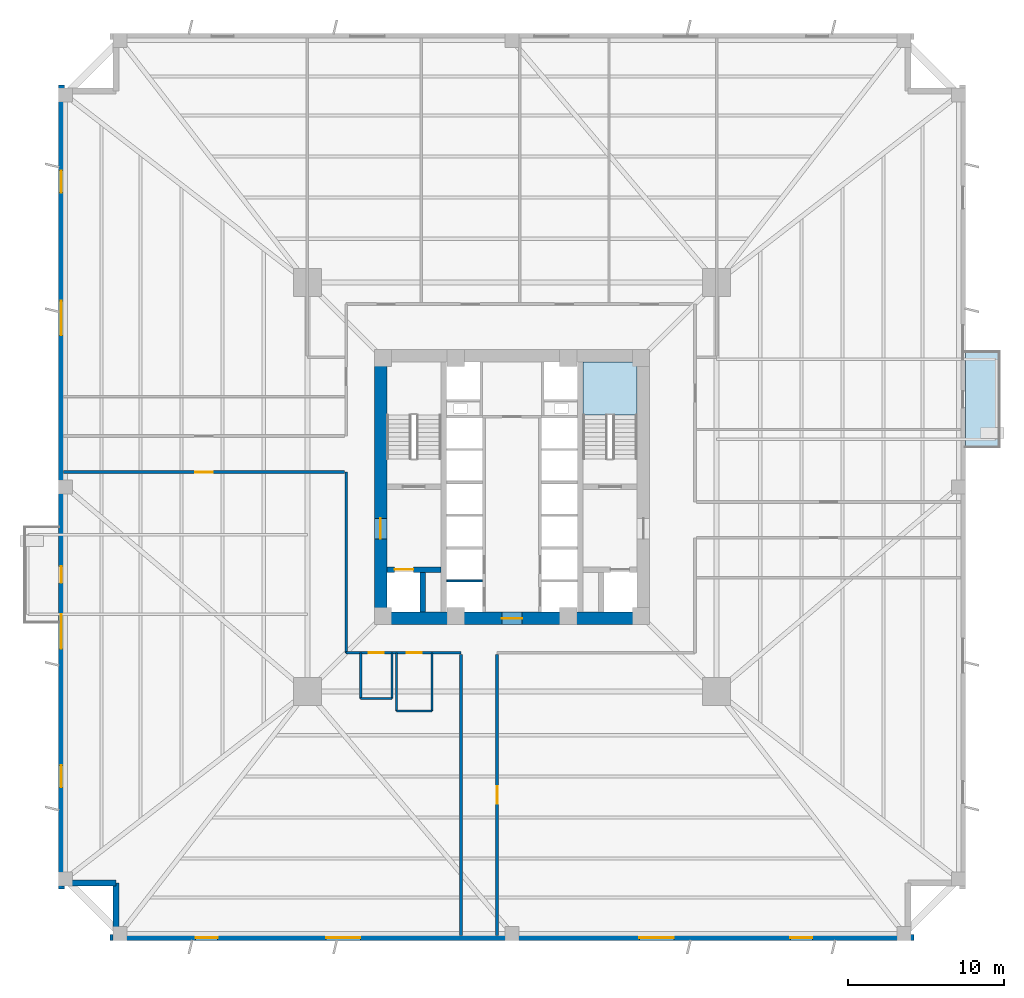
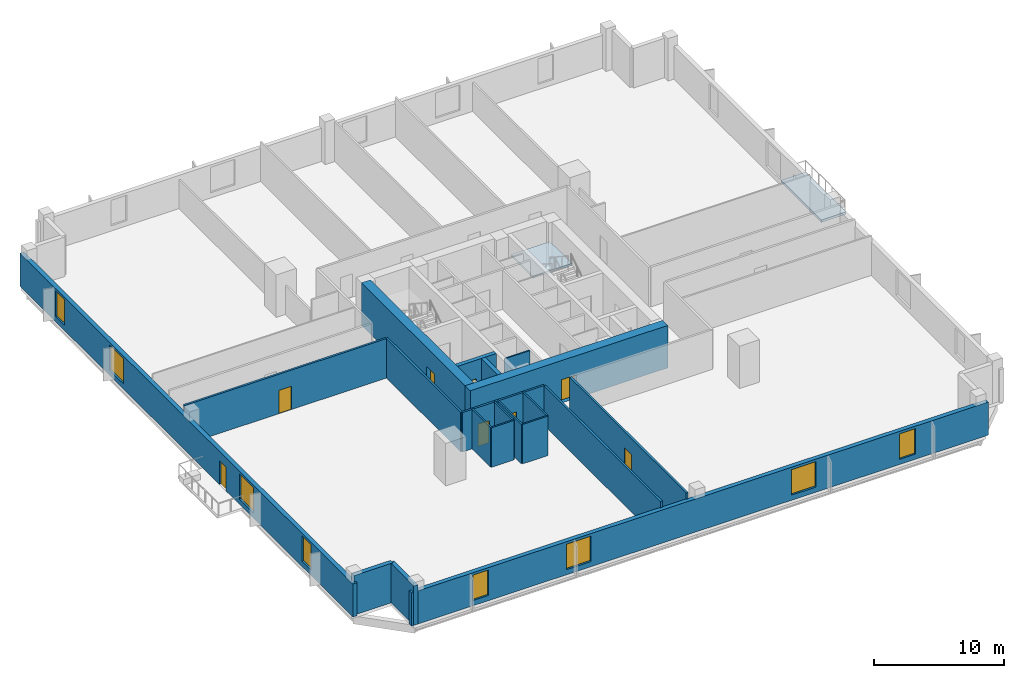
# One storey, part 2 of 8: 20 walls, 8 doors, 8 windows, 2 slabs, 16 openings, 1 element without a shape of its own.
"""IFC4 building model written with IfcOpenShell, lengths in metres."""

import ifcopenshell
import ifcopenshell.guid

model = None  # the IFC model being written
_history = None  # IfcOwnerHistory: only IFC2X3 demands one
_inside = {}  # id of a spatial element -> (the spatial element, [elements in it])
_under = {}  # id of a project, library or spatial element -> (it, [spatial elements below it])
_declared = {}  # id of a project -> (the project, [libraries it declares])
_typed = {}  # id of a type object -> (the type object, [elements of that type])
_made_of = {}  # id of a material, layer set ... -> (it, [elements and type objects made of it])


def new_model(schema):
    """Start an empty IFC model of exactly this schema.

    Asked for "IFC4X3", IfcOpenShell would pick the latest addendum, in which some entities
    have other attributes; the version numbers below select the first issue.
    IFC2X3 requires an IfcOwnerHistory on every rooted entity: one is made here for all.
    """
    global model, _history
    if schema == "IFC4X3":
        model = ifcopenshell.file(schema_version=(4, 3, 0, 0))
    else:
        model = ifcopenshell.file(schema=schema)
    _inside.clear()
    _under.clear()
    _declared.clear()
    _typed.clear()
    _made_of.clear()
    _history = None
    if model.schema == "IFC2X3":
        org = make("IfcOrganization", Name="unknown")
        user = make(
            "IfcPersonAndOrganization",
            ThePerson=make("IfcPerson", FamilyName="unknown"),
            TheOrganization=org,
        )
        app = make(
            "IfcApplication",
            ApplicationDeveloper=org,
            Version="unknown",
            ApplicationFullName="unknown",
            ApplicationIdentifier="unknown",
        )
        _history = make(
            "IfcOwnerHistory",
            OwningUser=user,
            OwningApplication=app,
            ChangeAction="ADDED",
            CreationDate=0,
        )
    return model


def make(cls, **values):
    """One entity of the class cls with the attributes given. An attribute that is None is left unset."""
    return model.create_entity(
        cls, **{name: value for name, value in values.items() if value is not None}
    )


def rooted(cls, **values):
    """An entity with a GlobalId (a new one), such as an element, a storey or a relation."""
    return make(cls, GlobalId=ifcopenshell.guid.new(), OwnerHistory=_history, **values)


def si_unit(unit_type, name, prefix=None):
    """IfcSIUnit, for example si_unit("LENGTHUNIT", "METRE", prefix="MILLI")."""
    return make("IfcSIUnit", UnitType=unit_type, Prefix=prefix, Name=name)


def assignment(units):
    """IfcUnitAssignment: the units of a project."""
    return None if units is None else make("IfcUnitAssignment", Units=units)


def point(xyz):
    """IfcCartesianPoint."""
    return None if xyz is None else make("IfcCartesianPoint", Coordinates=xyz)


def direction(xyz):
    """IfcDirection."""
    return None if xyz is None else make("IfcDirection", DirectionRatios=xyz)


def frame(location, z_axis=None, x_axis=None):
    """IfcAxis2Placement3D, a coordinate frame: its origin and axes. An axis left out is left unset."""
    return make(
        "IfcAxis2Placement3D",
        Location=point(location),
        Axis=direction(z_axis),
        RefDirection=direction(x_axis),
    )


def frame_2d(location, x_axis=None):
    """IfcAxis2Placement2D, a coordinate frame in the plane: its origin and x axis."""
    return make(
        "IfcAxis2Placement2D", Location=point(location), RefDirection=direction(x_axis)
    )


def origin():
    """The frame at (0, 0, 0) with its axes left unset."""
    return frame((0.0, 0.0, 0.0))


def place(relative_to, where):
    """IfcLocalPlacement: puts the frame where relative to a parent placement (None: the world)."""
    return make(
        "IfcLocalPlacement", PlacementRelTo=relative_to, RelativePlacement=where
    )


def context(
    kind, dimensions, precision=None, world=None, true_north=None, identifier=None
):
    """IfcGeometricRepresentationContext, for example the 3D "Model" context."""
    return make(
        "IfcGeometricRepresentationContext",
        ContextIdentifier=identifier,
        ContextType=kind,
        CoordinateSpaceDimension=dimensions,
        Precision=precision,
        WorldCoordinateSystem=world,
        TrueNorth=true_north,
    )


def subcontext(parent, identifier, kind, view, scale=None):
    """IfcGeometricRepresentationSubContext, for example "Body" below "Model"."""
    return make(
        "IfcGeometricRepresentationSubContext",
        ContextIdentifier=identifier,
        ContextType=kind,
        ParentContext=parent,
        TargetScale=scale,
        TargetView=view,
    )


def project(units=None, contexts=None):
    """IfcProject with its units and contexts."""
    return rooted(
        "IfcProject",
        Name="project",
        RepresentationContexts=contexts,
        UnitsInContext=assignment(units),
    )


def spatial(cls, under=None, at=None, **own):
    """A site, building, storey or space (cls), placed at a placement, below another one or the project."""
    s = rooted(cls, ObjectPlacement=at, **own)
    if under is not None:
        _under.setdefault(under.id(), (under, []))[1].append(s)
    return s


def polyline(points):
    """IfcPolyline through the points."""
    return make("IfcPolyline", Points=[point(p) for p in points])


def profile(cls, at=None, kind="AREA", **sizes):
    """A parametric profile (cls). Its sizes go by their IFC names, for example OverallWidth=200.0."""
    return make(cls, ProfileType=kind, Position=at, **sizes)


def rectangle(**sizes):
    """IfcRectangleProfileDef."""
    return profile("IfcRectangleProfileDef", **sizes)


def outline(outer, holes=None, kind="AREA"):
    """IfcArbitraryClosedProfileDef: a profile drawn as a closed curve; with holes, ...WithVoids."""
    if holes is None:
        return make("IfcArbitraryClosedProfileDef", ProfileType=kind, OuterCurve=outer)
    return make(
        "IfcArbitraryProfileDefWithVoids",
        ProfileType=kind,
        OuterCurve=outer,
        InnerCurves=holes,
    )


def extrude(swept, where, along, depth):
    """IfcExtrudedAreaSolid: the profile swept, set in the frame where, extruded along a direction by depth."""
    return make(
        "IfcExtrudedAreaSolid",
        SweptArea=swept,
        Position=where,
        ExtrudedDirection=direction(along),
        Depth=depth,
    )


def shape(context_of_items, identifier, shape_type, items):
    """IfcShapeRepresentation: the items that make up one representation, for example the "Body"."""
    return make(
        "IfcShapeRepresentation",
        ContextOfItems=context_of_items,
        RepresentationIdentifier=identifier,
        RepresentationType=shape_type,
        Items=items,
    )


def source(mapping_origin, context_of_items, identifier, shape_type, items):
    """IfcRepresentationMap: a shape defined once, which mapped items show again and again."""
    return make(
        "IfcRepresentationMap",
        MappingOrigin=mapping_origin,
        MappedRepresentation=shape(context_of_items, identifier, shape_type, items),
    )


def transform(
    local_origin,
    x_axis=None,
    y_axis=None,
    z_axis=None,
    scale=None,
    scale2=None,
    scale3=None,
    uniform=True,
):
    """IfcCartesianTransformationOperator3D, or its non-uniform kind. x_axis, y_axis, z_axis: its Axis1, 2, 3."""
    if uniform:
        return make(
            "IfcCartesianTransformationOperator3D",
            Axis1=direction(x_axis),
            Axis2=direction(y_axis),
            LocalOrigin=point(local_origin),
            Scale=scale,
            Axis3=direction(z_axis),
        )
    return make(
        "IfcCartesianTransformationOperator3DnonUniform",
        Axis1=direction(x_axis),
        Axis2=direction(y_axis),
        LocalOrigin=point(local_origin),
        Scale=scale,
        Axis3=direction(z_axis),
        Scale2=scale2,
        Scale3=scale3,
    )


def mapped(mapping_source, mapping_target):
    """IfcMappedItem: shows the shape of a source again, moved by a transform."""
    return make(
        "IfcMappedItem", MappingSource=mapping_source, MappingTarget=mapping_target
    )


def material(Name=None, Category=None):
    """IfcMaterial."""
    return make("IfcMaterial", Name=Name, Category=Category)


def layer(
    of_material, thickness, ventilated=None, Name=None, Category=None, Priority=None
):
    """IfcMaterialLayer: one layer of a wall or slab, of a material (None: an air gap)."""
    return make(
        "IfcMaterialLayer",
        Material=of_material,
        LayerThickness=thickness,
        IsVentilated=ventilated,
        Name=Name,
        Category=Category,
        Priority=Priority,
    )


def layer_set(layers, Name=None):
    """IfcMaterialLayerSet."""
    return make("IfcMaterialLayerSet", MaterialLayers=layers, LayerSetName=Name)


def made_of(thing, what):
    """Note that an element or type object is made of a material, layer set ...; save() writes the relation."""
    if what is not None:
        _made_of.setdefault(what.id(), (what, []))[1].append(thing)
    return thing


def type_object(cls, material=None, **own):
    """A type object (cls), such as IfcWallType, which elements share."""
    return made_of(rooted(cls, **own), material)


def element(
    cls,
    number,
    at=None,
    inside=None,
    cuts=None,
    type_object=None,
    material=None,
    context=None,
    identifier="Body",
    shape_type=None,
    held_by="IfcProductDefinitionShape",
    body=None,
    shapes=None,
    **own,
):
    """One element of the class cls, such as IfcWall. Its Tag is "e" and its number.

    at: its placement. inside: the storey or other place that contains it. cuts: it is an
    opening in that element (IfcRelVoidsElement). A single representation is given by context,
    identifier, shape_type and body (its items); several are given by shapes. held_by: the class
    of the entity that holds the representations. save() writes the other relations.
    """
    e = rooted(cls, Tag="e%d" % number, ObjectPlacement=at, **own)
    if body is not None:
        shapes = [shape(context, identifier, shape_type, body)]
    if shapes is not None:
        e.Representation = make(held_by, Representations=shapes)
    if inside is not None:
        _inside.setdefault(inside.id(), (inside, []))[1].append(e)
    if cuts is not None:
        rooted(
            "IfcRelVoidsElement", RelatingBuildingElement=cuts, RelatedOpeningElement=e
        )
    if type_object is not None:
        _typed.setdefault(type_object.id(), (type_object, []))[1].append(e)
    return made_of(e, material)


def fill(opening, filler):
    """IfcRelFillsElement: the door or window that sits in an opening."""
    return rooted(
        "IfcRelFillsElement",
        RelatingOpeningElement=opening,
        RelatedBuildingElement=filler,
    )


def aggregate(whole, parts):
    """IfcRelAggregates: a whole, such as a stair, and the parts it consists of."""
    return rooted("IfcRelAggregates", RelatingObject=whole, RelatedObjects=parts)


def save(model, path):
    """Write the relations noted so far, then the file.

    IfcRelAggregates (storeys below a building ...), IfcRelContainedInSpatialStructure (elements
    in a storey), IfcRelDefinesByType, IfcRelAssociatesMaterial and IfcRelDeclares: one each for
    every whole, place, type object, material and project.
    """
    for whole, parts in _under.values():
        aggregate(whole, parts)
    for where, things in _inside.values():
        rooted(
            "IfcRelContainedInSpatialStructure",
            RelatedElements=things,
            RelatingStructure=where,
        )
    for kind, things in _typed.values():
        rooted("IfcRelDefinesByType", RelatedObjects=things, RelatingType=kind)
    for what, things in _made_of.values():
        rooted("IfcRelAssociatesMaterial", RelatedObjects=things, RelatingMaterial=what)
    for by, libraries in _declared.values():
        rooted("IfcRelDeclares", RelatingContext=by, RelatedDefinitions=libraries)
    model.write(path)


model = new_model("IFC4")

# Units and contexts
model_context = context("Model", 3, precision=1e-05, world=origin(), true_north=direction((0.0, 1.0)))
body_context = subcontext(model_context, "Body", "Model", "MODEL_VIEW")
ifc_project = project(units=[si_unit("LENGTHUNIT", "METRE"), si_unit("AREAUNIT", "SQUARE_METRE"), si_unit("VOLUMEUNIT", "CUBIC_METRE"), si_unit("PLANEANGLEUNIT", "RADIAN"), si_unit("MASSUNIT", "GRAM", prefix="KILO"), si_unit("THERMODYNAMICTEMPERATUREUNIT", "KELVIN")], contexts=[model_context])

# Site, building, storey
site_placement = place(None, origin())
site = spatial("IfcSite", under=ifc_project, at=site_placement, CompositionType="ELEMENT")
building_placement = place(site_placement, origin())
building = spatial("IfcBuilding", under=site, at=building_placement, Name="Kosmvard Interchange Tower", CompositionType="ELEMENT")
storey_placement = place(building_placement, frame((0.0, 0.0, 46.0)))
storey = spatial("IfcBuildingStorey", under=building, at=storey_placement, Name="L10", CompositionType="ELEMENT", Elevation=46.0)

# Stair, slab
ifc_material_1 = material(Name="Concrete C50/60", Category="concrete")
stair_type = type_object("IfcStairType", Name="Dog-Leg Core Exit Stair H4000 C50/60", PredefinedType="HALF_TURN_STAIR", material=ifc_material_1)
stair_placement = place(storey_placement, origin())
stair = element("IfcStair", 1, at=stair_placement, inside=storey, type_object=stair_type, Name="L10 Protected Exit Stair ST-2", PredefinedType="HALF_TURN_STAIR")
ifc_layer_1 = layer(ifc_material_1, 0.199951171875, Name="Concrete C50/60")
ifc_layer_set_1 = layer_set([ifc_layer_1], Name="Concrete C50/60")
slab_type_1 = type_object("IfcSlabType", Name="Stair Half-Landing Slab 200 C50/60", PredefinedType="LANDING", material=ifc_layer_set_1)
slab_1_placement = place(storey_placement, frame((0.0, 0.0, 1.800048828125)))
slab_1 = element("IfcSlab", 2, at=slab_1_placement, type_object=slab_type_1, Name="ST-2 landing 1", PredefinedType="LANDING", context=body_context, shape_type="SweptSolid", body=[
    extrude(outline(polyline([(8.0, 4.60009765625), (8.0, 8.0), (4.5400390625, 8.0), (4.5400390625, 4.60009765625), (8.0, 4.60009765625)])), origin(), (0.0, 0.0, 1.0), 0.199951171875),
])
aggregate(stair, [slab_1])

# Slab
ifc_layer_2 = layer(ifc_material_1, 0.22998046875, Name="Concrete C50/60")
ifc_layer_set_2 = layer_set([ifc_layer_2], Name="Concrete C50/60")
slab_type_2 = type_object("IfcSlabType", Name="Tree-Planter Cantilever Balcony Slab 230 C50/60", PredefinedType="FLOOR", material=ifc_layer_set_2)
slab_2_placement = place(storey_placement, frame((0.0, 0.0, -0.22998046875)))
element("IfcSlab", 3, at=slab_2_placement, inside=storey, type_object=slab_type_2, Name="L10 Outdoor Terrace Balcony Slab BAL-L10-E", PredefinedType="FLOOR", context=body_context, shape_type="SweptSolid", body=[
    extrude(outline(polyline([(29.0, 2.5), (31.199951171875, 2.5), (31.199951171875, 8.699951171875), (29.0, 8.699951171875), (29.0, 2.5)])), origin(), (0.0, 0.0, 1.0), 0.22998046875),
])

# Wall, openings, doors
ifc_material_2 = material(Name="Fire-rated gypsum partition system")
ifc_layer_3 = layer(ifc_material_2, 0.179931640625, Name="Fire-rated gypsum partition system")
ifc_layer_set_3 = layer_set([ifc_layer_3], Name="Fire-rated gypsum partition system")
wall_type_1 = type_object("IfcWallType", Name="Corridor & Hotel Compartment Partition 180", PredefinedType="PARTITIONING", material=ifc_layer_set_3)
wall_1_placement = place(storey_placement, frame((-10.60009765625, -10.60009765625, 0.0), z_axis=(0.0, 0.0, 1.0), x_axis=(1.0, 0.0, 0.0)))
wall_1 = element("IfcWall", 4, at=wall_1_placement, inside=storey, type_object=wall_type_1, Name="L10 Corridor Wall CSW", PredefinedType="PARTITIONING", context=body_context, shape_type="SweptSolid", body=[
    extrude(rectangle(XDim=7.35009765625, YDim=0.179931640625, at=frame_2d((3.675048828125, 0.0))), origin(), (0.0, 0.0, 1.0), 3.719970703125),
])
opening_1_placement = place(wall_1_placement, frame((1.455078125, 0.0, 0.0)))
opening_1 = element("IfcOpeningElement", 5, at=opening_1_placement, cuts=wall_1, Name="Opening L10-D01", PredefinedType="OPENING", context=body_context, shape_type="SweptSolid", body=[
    extrude(rectangle(XDim=0.949951171875, YDim=2.10009765625, at=frame_2d((0.47509765625, 1.050048828125))), frame((0.0, 0.10009765625, 0.0), z_axis=(0.0, -1.0, 0.0), x_axis=(1.0, 0.0, 0.0)), (0.0, 0.0, 1.0), 0.199951171875),
])
opening_2_placement = place(wall_1_placement, frame((3.879150390625, 0.0, 0.0)))
opening_2 = element("IfcOpeningElement", 6, at=opening_2_placement, cuts=wall_1, Name="Opening L10-D02", PredefinedType="OPENING", context=body_context, shape_type="SweptSolid", body=[
    extrude(rectangle(XDim=0.949951171875, YDim=2.10009765625, at=frame_2d((0.47509765625, 1.050048828125))), frame((0.0, 0.10009765625, 0.0), z_axis=(0.0, -1.0, 0.0), x_axis=(1.0, 0.0, 0.0)), (0.0, 0.0, 1.0), 0.199951171875),
])
ifc_material_3 = material(Name="Laminated moisture-resistant timber", Category="wood")
door_type_1 = type_object("IfcDoorType", Name="Accessible Washroom Door 950x2100", OperationType="NOTDEFINED", PredefinedType="DOOR", material=ifc_material_3)
shared_shape_1 = source(origin(), body_context, "Body", "SweptSolid", [
    extrude(rectangle(XDim=0.949951171875, YDim=2.10009765625, at=frame_2d((0.47509765625, 1.050048828125))), frame((0.0, 0.02490234375, 0.0), z_axis=(0.0, -1.0, 0.0), x_axis=(1.0, 0.0, 0.0)), (0.0, 0.0, 1.0), 0.050048828125),
])
door_1_placement = place(opening_1_placement, frame((0.949951171875, 0.0, 0.0), z_axis=(0.0, 0.0, 1.0), x_axis=(-1.0, 0.0, 0.0)))
door_1 = element("IfcDoor", 7, at=door_1_placement, inside=storey, type_object=door_type_1, Name="L10 Accessible Toilet Door", OperationType="SINGLE_SWING_LEFT", OverallHeight=2.10009765625, OverallWidth=0.949951171875, PredefinedType="DOOR", context=body_context, shape_type="MappedRepresentation", body=[
    mapped(shared_shape_1, transform((0.0, 0.0, 0.0), scale=1.0)),
])
fill(opening_1, door_1)
door_2_placement = place(opening_2_placement, frame((0.949951171875, 0.0, 0.0), z_axis=(0.0, 0.0, 1.0), x_axis=(-1.0, 0.0, 0.0)))
door_2 = element("IfcDoor", 8, at=door_2_placement, inside=storey, type_object=door_type_1, Name="L10 Public Floor Washroom Door", OperationType="SINGLE_SWING_RIGHT", OverallHeight=2.10009765625, OverallWidth=0.949951171875, PredefinedType="DOOR", context=body_context, shape_type="MappedRepresentation", body=[
    mapped(shared_shape_1, transform((0.0, 0.0, 0.0), scale=1.0)),
])
fill(opening_2, door_2)

# Wall
wall_2_placement = place(storey_placement, frame((-10.60009765625, -10.60009765625, 0.0), z_axis=(0.0, 0.0, 1.0), x_axis=(0.0, 1.0, 0.0)))
element("IfcWall", 9, at=wall_2_placement, inside=storey, type_object=wall_type_1, Name="L10 Corridor Wall CWS", PredefinedType="PARTITIONING", context=body_context, shape_type="SweptSolid", body=[
    extrude(rectangle(XDim=11.550048828125, YDim=0.179931640625, at=frame_2d((5.77490234375, 0.0))), origin(), (0.0, 0.0, 1.0), 3.719970703125),
])

# Wall, opening, door
wall_3_placement = place(storey_placement, frame((-28.68505859375, 0.949951171875, 0.0), z_axis=(0.0, 0.0, 1.0), x_axis=(1.0, 0.0, 0.0)))
wall_3 = element("IfcWall", 10, at=wall_3_placement, inside=storey, type_object=wall_type_1, Name="L10 Corridor Wall SWS", PredefinedType="PARTITIONING", context=body_context, shape_type="SweptSolid", body=[
    extrude(rectangle(XDim=17.985107421875, YDim=0.179931640625, at=frame_2d((8.99267578125, 0.0))), origin(), (0.0, 0.0, 1.0), 3.719970703125),
])
opening_3_placement = place(wall_3_placement, frame((8.4423828125, 0.0, 0.0)))
opening_3 = element("IfcOpeningElement", 11, at=opening_3_placement, cuts=wall_3, Name="Opening L10-D13", PredefinedType="OPENING", context=body_context, shape_type="SweptSolid", body=[
    extrude(rectangle(XDim=1.10009765625, YDim=2.199951171875, at=frame_2d((0.550048828125, 1.10009765625))), frame((0.0, 0.10009765625, 0.0), z_axis=(0.0, -1.0, 0.0), x_axis=(1.0, 0.0, 0.0)), (0.0, 0.0, 1.0), 0.199951171875),
])
ifc_material_4 = material(Name="Engineered oak fire-rated timber", Category="wood")
door_type_2 = type_object("IfcDoorType", Name="Office Suite Entrance Door 1100x2200 FD30S", OperationType="NOTDEFINED", PredefinedType="DOOR", material=ifc_material_4)
shared_shape_2 = source(origin(), body_context, "Body", "SweptSolid", [
    extrude(rectangle(XDim=1.10009765625, YDim=2.199951171875, at=frame_2d((0.550048828125, 1.10009765625))), frame((0.0, 0.02490234375, 0.0), z_axis=(0.0, -1.0, 0.0), x_axis=(1.0, 0.0, 0.0)), (0.0, 0.0, 1.0), 0.050048828125),
])
door_3_placement = place(opening_3_placement, frame((1.10009765625, 0.0, 0.0), z_axis=(0.0, 0.0, 1.0), x_axis=(-1.0, 0.0, 0.0)))
door_3 = element("IfcDoor", 12, at=door_3_placement, inside=storey, type_object=door_type_2, Name="L10 South-West Open Workplace Door", OperationType="SINGLE_SWING_LEFT", OverallHeight=2.199951171875, OverallWidth=1.10009765625, PredefinedType="DOOR", context=body_context, shape_type="MappedRepresentation", body=[
    mapped(shared_shape_2, transform((0.0, 0.0, 0.0), scale=1.0)),
])
fill(opening_3, door_3)

# Wall
wall_4_placement = place(storey_placement, frame((-3.25, -28.68505859375, 0.0), z_axis=(0.0, 0.0, 1.0), x_axis=(0.0, 1.0, 0.0)))
element("IfcWall", 13, at=wall_4_placement, inside=storey, type_object=wall_type_1, Name="L10 Corridor Wall SSW", PredefinedType="PARTITIONING", context=body_context, shape_type="SweptSolid", body=[
    extrude(rectangle(XDim=17.985107421875, YDim=0.179931640625, at=frame_2d((8.99267578125, 0.0))), origin(), (0.0, 0.0, 1.0), 3.719970703125),
])

# Wall, opening, door
wall_5_placement = place(storey_placement, frame((-0.949951171875, -28.68505859375, 0.0), z_axis=(0.0, 0.0, 1.0), x_axis=(0.0, 1.0, 0.0)))
wall_5 = element("IfcWall", 14, at=wall_5_placement, inside=storey, type_object=wall_type_1, Name="L10 Corridor Wall SSE", PredefinedType="PARTITIONING", context=body_context, shape_type="SweptSolid", body=[
    extrude(rectangle(XDim=17.985107421875, YDim=0.179931640625, at=frame_2d((8.99267578125, 0.0))), origin(), (0.0, 0.0, 1.0), 3.719970703125),
])
opening_4_placement = place(wall_5_placement, frame((8.4423828125, 0.0, 0.0)))
opening_4 = element("IfcOpeningElement", 15, at=opening_4_placement, cuts=wall_5, Name="Opening L10-D12", PredefinedType="OPENING", context=body_context, shape_type="SweptSolid", body=[
    extrude(rectangle(XDim=1.10009765625, YDim=2.199951171875, at=frame_2d((0.550048828125, 1.10009765625))), frame((0.0, 0.10009765625, 0.0), z_axis=(0.0, -1.0, 0.0), x_axis=(1.0, 0.0, 0.0)), (0.0, 0.0, 1.0), 0.199951171875),
])
door_4_placement = place(opening_4_placement, frame((1.10009765625, 0.0, 0.0), z_axis=(0.0, 0.0, 1.0), x_axis=(-1.0, 0.0, 0.0)))
door_4 = element("IfcDoor", 16, at=door_4_placement, inside=storey, type_object=door_type_2, Name="L10 South-East Open Studio Door", OperationType="SINGLE_SWING_RIGHT", OverallHeight=2.199951171875, OverallWidth=1.10009765625, PredefinedType="DOOR", context=body_context, shape_type="MappedRepresentation", body=[
    mapped(shared_shape_2, transform((0.0, 0.0, 0.0), scale=1.0)),
])
fill(opening_4, door_4)

ifc_material_5 = material(Name="Concrete C80/95", Category="concrete")
ifc_layer_4 = layer(ifc_material_5, 0.800048828125, Name="Concrete C80/95")
ifc_layer_set_4 = layer_set([ifc_layer_4], Name="Concrete C80/95")
wall_type_2 = type_object("IfcWallType", Name="Lower Core Shear Wall 800 C80/95", PredefinedType="SHEAR", material=ifc_layer_set_4)
wall_6_placement = place(storey_placement, frame((-8.800048828125, -8.39990234375, 0.0), z_axis=(0.0, 0.0, 1.0), x_axis=(1.0, 0.0, 0.0)))
wall_6 = element("IfcWall", 17, at=wall_6_placement, inside=storey, type_object=wall_type_2, Name="L10 Core Shear Wall CW-S", PredefinedType="SHEAR", context=body_context, shape_type="SweptSolid", body=[
    extrude(rectangle(XDim=17.60009765625, YDim=0.800048828125, at=frame_2d((8.800048828125, 0.0))), origin(), (0.0, 0.0, 1.0), 4.0),
])
opening_5_placement = place(wall_6_placement, frame((8.14990234375, 0.0, 0.0)))
opening_5 = element("IfcOpeningElement", 18, at=opening_5_placement, cuts=wall_6, Name="Opening L10-LD0", PredefinedType="OPENING", context=body_context, shape_type="SweptSolid", body=[
    extrude(rectangle(XDim=1.300048828125, YDim=2.199951171875, at=frame_2d((0.64990234375, 1.10009765625))), frame((0.0, 0.41015625, 0.0), z_axis=(0.0, -1.0, 0.0), x_axis=(1.0, 0.0, 0.0)), (0.0, 0.0, 1.0), 0.820068359375),
])
ifc_material_6 = material(Name="Painted fire-rated steel leaf", Category="steel")
door_type_3 = type_object("IfcDoorType", Name="Firefighting Lobby Door 1300x2200 EI60", OperationType="NOTDEFINED", PredefinedType="DOOR", material=ifc_material_6)
shared_shape_3 = source(origin(), body_context, "Body", "SweptSolid", [
    extrude(rectangle(XDim=1.300048828125, YDim=2.199951171875, at=frame_2d((0.64990234375, 1.10009765625))), frame((0.0, 0.02490234375, 0.0), z_axis=(0.0, -1.0, 0.0), x_axis=(1.0, 0.0, 0.0)), (0.0, 0.0, 1.0), 0.050048828125),
])
door_5_placement = place(opening_5_placement, frame((1.300048828125, 0.0, 0.0), z_axis=(0.0, 0.0, 1.0), x_axis=(-1.0, 0.0, 0.0)))
door_5 = element("IfcDoor", 19, at=door_5_placement, inside=storey, type_object=door_type_3, Name="L10 Passenger Lift Lobby South Door", OperationType="SINGLE_SWING_RIGHT", OverallHeight=2.199951171875, OverallWidth=1.300048828125, PredefinedType="DOOR", context=body_context, shape_type="MappedRepresentation", body=[
    mapped(shared_shape_3, transform((0.0, 0.0, 0.0), scale=1.0)),
])
fill(opening_5, door_5)

wall_7_placement = place(storey_placement, frame((-8.39990234375, -8.0, 0.0), z_axis=(0.0, 0.0, 1.0), x_axis=(0.0, 1.0, 0.0)))
wall_7 = element("IfcWall", 20, at=wall_7_placement, inside=storey, type_object=wall_type_2, Name="L10 Core Shear Wall CW-W", PredefinedType="SHEAR", context=body_context, shape_type="SweptSolid", body=[
    extrude(rectangle(XDim=16.0, YDim=0.800048828125, at=frame_2d((8.0, 0.0))), origin(), (0.0, 0.0, 1.0), 4.0),
])
opening_6_placement = place(wall_7_placement, frame((4.68994140625, 0.0, 0.0)))
opening_6 = element("IfcOpeningElement", 21, at=opening_6_placement, cuts=wall_7, Name="Opening L10-FD1", PredefinedType="OPENING", context=body_context, shape_type="SweptSolid", body=[
    extrude(rectangle(XDim=1.300048828125, YDim=2.199951171875, at=frame_2d((0.64990234375, 1.10009765625))), frame((0.0, 0.41015625, 0.0), z_axis=(0.0, -1.0, 0.0), x_axis=(1.0, 0.0, 0.0)), (0.0, 0.0, 1.0), 0.820068359375),
])
door_6_placement = place(opening_6_placement, frame((1.300048828125, 0.0, 0.0), z_axis=(0.0, 0.0, 1.0), x_axis=(-1.0, 0.0, 0.0)))
door_6 = element("IfcDoor", 22, at=door_6_placement, inside=storey, type_object=door_type_3, Name="L10 Firefighting Lobby West Door", OperationType="SINGLE_SWING_LEFT", OverallHeight=2.199951171875, OverallWidth=1.300048828125, PredefinedType="DOOR", context=body_context, shape_type="MappedRepresentation", body=[
    mapped(shared_shape_3, transform((0.0, 0.0, 0.0), scale=1.0)),
])
fill(opening_6, door_6)

# Wall, openings, windows
ifc_material_7 = material(Name="Precast concrete C45/55", Category="concrete")
ifc_layer_5 = layer(ifc_material_7, 0.3798828125, Name="Precast concrete C45/55")
ifc_layer_set_5 = layer_set([ifc_layer_5], Name="Precast concrete C45/55")
wall_type_3 = type_object("IfcWallType", Name="Lower Tower Precast Pier Wall 380 C45/55", PredefinedType="STANDARD", material=ifc_layer_set_5)
wall_8_placement = place(storey_placement, frame((-25.68994140625, -28.81005859375, 0.0), z_axis=(0.0, 0.0, 1.0), x_axis=(1.0, 0.0, 0.0)))
wall_8 = element("IfcWall", 23, at=wall_8_placement, inside=storey, type_object=wall_type_3, Name="L10 Precast Facade Wall F-S", PredefinedType="STANDARD", context=body_context, shape_type="SweptSolid", body=[
    extrude(rectangle(XDim=51.3798828125, YDim=0.3798828125, at=frame_2d((25.68994140625, 0.0))), origin(), (0.0, 0.0, 1.0), 3.1201171875),
])
opening_7_placement = place(wall_8_placement, frame((5.465576171875, 0.0, 0.489990234375)))
opening_7 = element("IfcOpeningElement", 24, at=opening_7_placement, cuts=wall_8, Name="Opening L10-W01", PredefinedType="OPENING", context=body_context, shape_type="SweptSolid", body=[
    extrude(rectangle(XDim=1.39990234375, YDim=2.39990234375, at=frame_2d((0.699951171875, 1.199951171875))), frame((0.0, 0.199951171875, 0.0), z_axis=(0.0, -1.0, 0.0), x_axis=(1.0, 0.0, 0.0)), (0.0, 0.0, 1.0), 0.39990234375),
])
opening_8_placement = place(wall_8_placement, frame((13.80029296875, 0.0, 0.489990234375)))
opening_8 = element("IfcOpeningElement", 25, at=opening_8_placement, cuts=wall_8, Name="Opening L10-W02", PredefinedType="OPENING", context=body_context, shape_type="SweptSolid", body=[
    extrude(rectangle(XDim=2.199951171875, YDim=2.39990234375, at=frame_2d((1.10009765625, 1.199951171875))), frame((0.0, 0.199951171875, 0.0), z_axis=(0.0, -1.0, 0.0), x_axis=(1.0, 0.0, 0.0)), (0.0, 0.0, 1.0), 0.39990234375),
])
opening_9_placement = place(wall_8_placement, frame((33.83837890625, 0.0, 0.489990234375)))
opening_9 = element("IfcOpeningElement", 26, at=opening_9_placement, cuts=wall_8, Name="Opening L10-W03", PredefinedType="OPENING", context=body_context, shape_type="SweptSolid", body=[
    extrude(rectangle(XDim=2.199951171875, YDim=2.39990234375, at=frame_2d((1.10009765625, 1.199951171875))), frame((0.0, 0.199951171875, 0.0), z_axis=(0.0, -1.0, 0.0), x_axis=(1.0, 0.0, 0.0)), (0.0, 0.0, 1.0), 0.39990234375),
])
opening_10_placement = place(wall_8_placement, frame((43.48681640625, 0.0, 0.489990234375)))
opening_10 = element("IfcOpeningElement", 27, at=opening_10_placement, cuts=wall_8, Name="Opening L10-W04", PredefinedType="OPENING", context=body_context, shape_type="SweptSolid", body=[
    extrude(rectangle(XDim=1.39990234375, YDim=2.39990234375, at=frame_2d((0.699951171875, 1.199951171875))), frame((0.0, 0.199951171875, 0.0), z_axis=(0.0, -1.0, 0.0), x_axis=(1.0, 0.0, 0.0)), (0.0, 0.0, 1.0), 0.39990234375),
])
ifc_material_8 = material(Name="Low-E solar-control double glazing", Category="glass")
window_type_1 = type_object("IfcWindowType", Name="Notched Corner Feature Window 1400x2400", PartitioningType="SINGLE_PANEL", PredefinedType="WINDOW", material=ifc_material_8)
shared_shape_4 = source(origin(), body_context, "Body", "SweptSolid", [
    extrude(rectangle(XDim=1.39990234375, YDim=2.39990234375, at=frame_2d((0.699951171875, 1.199951171875))), frame((0.0, 0.030029296875, 0.0), z_axis=(0.0, -1.0, 0.0), x_axis=(1.0, 0.0, 0.0)), (0.0, 0.0, 1.0), 0.06005859375),
])
window_1_placement = place(opening_7_placement, origin())
window_1 = element("IfcWindow", 28, at=window_1_placement, inside=storey, type_object=window_type_1, Name="L10 Facade Punched Window 01", OverallHeight=2.39990234375, OverallWidth=1.39990234375, PartitioningType="SINGLE_PANEL", PredefinedType="WINDOW", context=body_context, shape_type="MappedRepresentation", body=[
    mapped(shared_shape_4, transform((0.0, 0.0, 0.0), scale=1.0)),
])
fill(opening_7, window_1)
window_2_placement = place(opening_10_placement, origin())
window_2 = element("IfcWindow", 29, at=window_2_placement, inside=storey, type_object=window_type_1, Name="L10 Facade Punched Window 04", OverallHeight=2.39990234375, OverallWidth=1.39990234375, PartitioningType="SINGLE_PANEL", PredefinedType="WINDOW", context=body_context, shape_type="MappedRepresentation", body=[
    mapped(shared_shape_4, transform((0.0, 0.0, 0.0), scale=1.0)),
])
fill(opening_10, window_2)
window_type_2 = type_object("IfcWindowType", Name="Zone 1 Office Punched Window 2200x2400", PartitioningType="SINGLE_PANEL", PredefinedType="WINDOW", material=ifc_material_8)
shared_shape_5 = source(origin(), body_context, "Body", "SweptSolid", [
    extrude(rectangle(XDim=2.199951171875, YDim=2.39990234375, at=frame_2d((1.10009765625, 1.199951171875))), frame((0.0, 0.030029296875, 0.0), z_axis=(0.0, -1.0, 0.0), x_axis=(1.0, 0.0, 0.0)), (0.0, 0.0, 1.0), 0.06005859375),
])
window_3_placement = place(opening_8_placement, origin())
window_3 = element("IfcWindow", 30, at=window_3_placement, inside=storey, type_object=window_type_2, Name="L10 Facade Punched Window 02", OverallHeight=2.39990234375, OverallWidth=2.199951171875, PartitioningType="SINGLE_PANEL", PredefinedType="WINDOW", context=body_context, shape_type="MappedRepresentation", body=[
    mapped(shared_shape_5, transform((0.0, 0.0, 0.0), scale=1.0)),
])
fill(opening_8, window_3)
window_4_placement = place(opening_9_placement, origin())
window_4 = element("IfcWindow", 31, at=window_4_placement, inside=storey, type_object=window_type_2, Name="L10 Facade Punched Window 03", OverallHeight=2.39990234375, OverallWidth=2.199951171875, PartitioningType="SINGLE_PANEL", PredefinedType="WINDOW", context=body_context, shape_type="MappedRepresentation", body=[
    mapped(shared_shape_5, transform((0.0, 0.0, 0.0), scale=1.0)),
])
fill(opening_9, window_4)

# Wall, openings, door, windows
wall_9_placement = place(storey_placement, frame((-28.81005859375, 25.68994140625, 0.0), z_axis=(0.0, 0.0, 1.0), x_axis=(0.0, -1.0, 0.0)))
wall_9 = element("IfcWall", 32, at=wall_9_placement, inside=storey, type_object=wall_type_3, Name="L10 Precast Facade Wall F-W", PredefinedType="STANDARD", context=body_context, shape_type="SweptSolid", body=[
    extrude(rectangle(XDim=51.3798828125, YDim=0.3798828125, at=frame_2d((25.68994140625, 0.0))), origin(), (0.0, 0.0, 1.0), 3.1201171875),
])
opening_11_placement = place(wall_9_placement, frame((30.764892578125, 0.0, 0.0)))
opening_11 = element("IfcOpeningElement", 33, at=opening_11_placement, cuts=wall_9, Name="Opening L10-BDW", PredefinedType="OPENING", context=body_context, shape_type="SweptSolid", body=[
    extrude(rectangle(XDim=1.050048828125, YDim=2.25, at=frame_2d((0.52490234375, 1.125))), frame((0.0, 0.199951171875, 0.0), z_axis=(0.0, -1.0, 0.0), x_axis=(1.0, 0.0, 0.0)), (0.0, 0.0, 1.0), 0.39990234375),
])
opening_12_placement = place(wall_9_placement, frame((5.465576171875, 0.0, 0.489990234375)))
opening_12 = element("IfcOpeningElement", 34, at=opening_12_placement, cuts=wall_9, Name="Opening L10-W14", PredefinedType="OPENING", context=body_context, shape_type="SweptSolid", body=[
    extrude(rectangle(XDim=1.39990234375, YDim=2.39990234375, at=frame_2d((0.699951171875, 1.199951171875))), frame((0.0, 0.199951171875, 0.0), z_axis=(0.0, -1.0, 0.0), x_axis=(1.0, 0.0, 0.0)), (0.0, 0.0, 1.0), 0.39990234375),
])
opening_13_placement = place(wall_9_placement, frame((13.80029296875, 0.0, 0.489990234375)))
opening_13 = element("IfcOpeningElement", 35, at=opening_13_placement, cuts=wall_9, Name="Opening L10-W15", PredefinedType="OPENING", context=body_context, shape_type="SweptSolid", body=[
    extrude(rectangle(XDim=2.199951171875, YDim=2.39990234375, at=frame_2d((1.10009765625, 1.199951171875))), frame((0.0, 0.199951171875, 0.0), z_axis=(0.0, -1.0, 0.0), x_axis=(1.0, 0.0, 0.0)), (0.0, 0.0, 1.0), 0.39990234375),
])
opening_14_placement = place(wall_9_placement, frame((33.83837890625, 0.0, 0.489990234375)))
opening_14 = element("IfcOpeningElement", 36, at=opening_14_placement, cuts=wall_9, Name="Opening L10-W16", PredefinedType="OPENING", context=body_context, shape_type="SweptSolid", body=[
    extrude(rectangle(XDim=2.199951171875, YDim=2.39990234375, at=frame_2d((1.10009765625, 1.199951171875))), frame((0.0, 0.199951171875, 0.0), z_axis=(0.0, -1.0, 0.0), x_axis=(1.0, 0.0, 0.0)), (0.0, 0.0, 1.0), 0.39990234375),
])
opening_15_placement = place(wall_9_placement, frame((43.48681640625, 0.0, 0.489990234375)))
opening_15 = element("IfcOpeningElement", 37, at=opening_15_placement, cuts=wall_9, Name="Opening L10-W17", PredefinedType="OPENING", context=body_context, shape_type="SweptSolid", body=[
    extrude(rectangle(XDim=1.39990234375, YDim=2.39990234375, at=frame_2d((0.699951171875, 1.199951171875))), frame((0.0, 0.199951171875, 0.0), z_axis=(0.0, -1.0, 0.0), x_axis=(1.0, 0.0, 0.0)), (0.0, 0.0, 1.0), 0.39990234375),
])
ifc_material_9 = material(Name="Anodised aluminium and safety glass", Category="aluminium")
door_type_4 = type_object("IfcDoorType", Name="Tree-Balcony Glazed Door 1050x2250", OperationType="NOTDEFINED", PredefinedType="DOOR", material=ifc_material_9)
shared_shape_6 = source(origin(), body_context, "Body", "SweptSolid", [
    extrude(rectangle(XDim=1.050048828125, YDim=2.25, at=frame_2d((0.52490234375, 1.125))), frame((0.0, 0.02490234375, 0.0), z_axis=(0.0, -1.0, 0.0), x_axis=(1.0, 0.0, 0.0)), (0.0, 0.0, 1.0), 0.050048828125),
])
door_7_placement = place(opening_11_placement, origin())
door_7 = element("IfcDoor", 38, at=door_7_placement, inside=storey, type_object=door_type_4, Name="L10 Tree-Balcony Door BAL-L10-W", OperationType="SINGLE_SWING_LEFT", OverallHeight=2.25, OverallWidth=1.050048828125, PredefinedType="DOOR", context=body_context, shape_type="MappedRepresentation", body=[
    mapped(shared_shape_6, transform((0.0, 0.0, 0.0), scale=1.0)),
])
fill(opening_11, door_7)
window_5_placement = place(opening_12_placement, origin())
window_5 = element("IfcWindow", 39, at=window_5_placement, inside=storey, type_object=window_type_1, Name="L10 Facade Punched Window 14", OverallHeight=2.39990234375, OverallWidth=1.39990234375, PartitioningType="SINGLE_PANEL", PredefinedType="WINDOW", context=body_context, shape_type="MappedRepresentation", body=[
    mapped(shared_shape_4, transform((0.0, 0.0, 0.0), scale=1.0)),
])
fill(opening_12, window_5)
window_6_placement = place(opening_15_placement, origin())
window_6 = element("IfcWindow", 40, at=window_6_placement, inside=storey, type_object=window_type_1, Name="L10 Facade Punched Window 17", OverallHeight=2.39990234375, OverallWidth=1.39990234375, PartitioningType="SINGLE_PANEL", PredefinedType="WINDOW", context=body_context, shape_type="MappedRepresentation", body=[
    mapped(shared_shape_4, transform((0.0, 0.0, 0.0), scale=1.0)),
])
fill(opening_15, window_6)
window_7_placement = place(opening_13_placement, origin())
window_7 = element("IfcWindow", 41, at=window_7_placement, inside=storey, type_object=window_type_2, Name="L10 Facade Punched Window 15", OverallHeight=2.39990234375, OverallWidth=2.199951171875, PartitioningType="SINGLE_PANEL", PredefinedType="WINDOW", context=body_context, shape_type="MappedRepresentation", body=[
    mapped(shared_shape_5, transform((0.0, 0.0, 0.0), scale=1.0)),
])
fill(opening_13, window_7)
window_8_placement = place(opening_14_placement, origin())
window_8 = element("IfcWindow", 42, at=window_8_placement, inside=storey, type_object=window_type_2, Name="L10 Facade Punched Window 16", OverallHeight=2.39990234375, OverallWidth=2.199951171875, PartitioningType="SINGLE_PANEL", PredefinedType="WINDOW", context=body_context, shape_type="MappedRepresentation", body=[
    mapped(shared_shape_5, transform((0.0, 0.0, 0.0), scale=1.0)),
])
fill(opening_14, window_8)

# Walls
wall_10_placement = place(storey_placement, frame((-28.81005859375, -25.31005859375, 0.0), z_axis=(0.0, 0.0, 1.0), x_axis=(1.0, 0.0, 0.0)))
element("IfcWall", 43, at=wall_10_placement, inside=storey, type_object=wall_type_3, Name="L10 Precast Facade Wall N-SW1", PredefinedType="STANDARD", context=body_context, shape_type="SweptSolid", body=[
    extrude(rectangle(XDim=3.5, YDim=0.3798828125, at=frame_2d((1.75, 0.0))), origin(), (0.0, 0.0, 1.0), 3.719970703125),
])
wall_11_placement = place(storey_placement, frame((-25.31005859375, -25.31005859375, 0.0), z_axis=(0.0, 0.0, 1.0), x_axis=(0.0, -1.0, 0.0)))
element("IfcWall", 44, at=wall_11_placement, inside=storey, type_object=wall_type_3, Name="L10 Precast Facade Wall N-SW2", PredefinedType="STANDARD", context=body_context, shape_type="SweptSolid", body=[
    extrude(rectangle(XDim=3.68994140625, YDim=0.3798828125, at=frame_2d((1.844970703125, 0.0))), origin(), (0.0, 0.0, 1.0), 3.719970703125),
])
ifc_material_10 = material(Name="Fire-rated gypsum shaftwall system")
ifc_layer_6 = layer(ifc_material_10, 0.1201171875, Name="Fire-rated gypsum shaftwall system")
ifc_layer_set_6 = layer_set([ifc_layer_6], Name="Fire-rated gypsum shaftwall system")
wall_type_4 = type_object("IfcWallType", Name="Shaft & Riser Fire Partition 120 EI60", PredefinedType="PARTITIONING", material=ifc_layer_set_6)
wall_12_placement = place(storey_placement, frame((-4.159912109375, -6.0, 0.0), z_axis=(0.0, 0.0, 1.0), x_axis=(1.0, 0.0, 0.0)))
element("IfcWall", 45, at=wall_12_placement, inside=storey, type_object=wall_type_4, Name="L10 Shaft Divider PL-L1", PredefinedType="PARTITIONING", context=body_context, shape_type="SweptSolid", body=[
    extrude(rectangle(XDim=2.260009765625, YDim=0.1201171875, at=frame_2d((1.1298828125, 0.0))), origin(), (0.0, 0.0, 1.0), 3.719970703125),
])

# Wall, opening, door
ifc_material_11 = material(Name="Concrete C60/75", Category="concrete")
ifc_layer_7 = layer(ifc_material_11, 0.360107421875, Name="Concrete C60/75")
ifc_layer_set_7 = layer_set([ifc_layer_7], Name="Concrete C60/75")
wall_type_5 = type_object("IfcWallType", Name="Stair & Lift Shaft Shear Wall 360 C60/75", PredefinedType="SHEAR", material=ifc_layer_set_7)
wall_13_placement = place(storey_placement, frame((-8.0, -5.280029296875, 0.0), z_axis=(0.0, 0.0, 1.0), x_axis=(1.0, 0.0, 0.0)))
wall_13 = element("IfcWall", 46, at=wall_13_placement, inside=storey, type_object=wall_type_5, Name="L10 Shaft Shear Wall SW-FF1", PredefinedType="SHEAR", context=body_context, shape_type="SweptSolid", body=[
    extrude(rectangle(XDim=3.4599609375, YDim=0.360107421875, at=frame_2d((1.72998046875, 0.0))), origin(), (0.0, 0.0, 1.0), 4.0),
])
opening_16_placement = place(wall_13_placement, frame((0.5, 0.0, 0.0)))
opening_16 = element("IfcOpeningElement", 47, at=opening_16_placement, cuts=wall_13, Name="Opening LD-FF-1-L10", PredefinedType="OPENING", context=body_context, shape_type="SweptSolid", body=[
    extrude(rectangle(XDim=1.199951171875, YDim=2.25, at=frame_2d((0.60009765625, 1.125))), frame((0.0, 0.18994140625, 0.0), z_axis=(0.0, -1.0, 0.0), x_axis=(1.0, 0.0, 0.0)), (0.0, 0.0, 1.0), 0.380126953125),
])
ifc_material_12 = material(Name="Brushed stainless steel sliding leaf", Category="steel")
door_type_5 = type_object("IfcDoorType", Name="Firefighting Lift Sliding Landing Door 1200x2250 EI120", OperationType="DOUBLE_DOOR_SLIDING", PredefinedType="DOOR", material=ifc_material_12)
shared_shape_7 = source(origin(), body_context, "Body", "SweptSolid", [
    extrude(rectangle(XDim=1.199951171875, YDim=2.25, at=frame_2d((0.60009765625, 1.125))), frame((0.0, 0.02490234375, 0.0), z_axis=(0.0, -1.0, 0.0), x_axis=(1.0, 0.0, 0.0)), (0.0, 0.0, 1.0), 0.050048828125),
])
door_8_placement = place(opening_16_placement, origin())
door_8 = element("IfcDoor", 48, at=door_8_placement, inside=storey, type_object=door_type_5, Name="Lift FF-1 Landing Door L10", OperationType="DOUBLE_DOOR_SLIDING", OverallHeight=2.25, OverallWidth=1.199951171875, PredefinedType="DOOR", context=body_context, shape_type="MappedRepresentation", body=[
    mapped(shared_shape_7, transform((0.0, 0.0, 0.0), scale=1.0)),
])
fill(opening_16, door_8)

# Walls
wall_14_placement = place(storey_placement, frame((-5.7099609375, -8.0, 0.0), z_axis=(0.0, 0.0, 1.0), x_axis=(0.0, 1.0, 0.0)))
element("IfcWall", 49, at=wall_14_placement, inside=storey, type_object=wall_type_5, Name="L10 Shaft Shear Wall SW-SM1", PredefinedType="SHEAR", context=body_context, shape_type="SweptSolid", body=[
    extrude(rectangle(XDim=2.5400390625, YDim=0.360107421875, at=frame_2d((1.27001953125, 0.0))), origin(), (0.0, 0.0, 1.0), 4.0),
])
ifc_material_13 = material(Name="Moisture-resistant gypsum partition")
ifc_layer_8 = layer(ifc_material_13, 0.135009765625, Name="Moisture-resistant gypsum partition")
ifc_layer_set_8 = layer_set([ifc_layer_8], Name="Moisture-resistant gypsum partition")
wall_type_6 = type_object("IfcWallType", Name="Wet Room Moisture-Resistant Partition 135", PredefinedType="PARTITIONING", material=ifc_layer_set_8)
wall_15_placement = place(storey_placement, frame((-9.669921875, -13.52001953125, 0.0), z_axis=(0.0, 0.0, 1.0), x_axis=(1.0, 0.0, 0.0)))
element("IfcWall", 50, at=wall_15_placement, inside=storey, type_object=wall_type_6, Name="L10 Washroom Partition AWC1-S", PredefinedType="PARTITIONING", context=body_context, shape_type="SweptSolid", body=[
    extrude(rectangle(XDim=2.0, YDim=0.135009765625, at=frame_2d((1.0, 0.0))), origin(), (0.0, 0.0, 1.0), 3.719970703125),
])
for number, where, z_axis, x_axis, name in (
    (51, (-7.669921875, -13.52001953125, 0.0), (0.0, 0.0, 1.0), (0.0, 1.0, 0.0), "L10 Washroom Partition AWC1-E"),
    (52, (-9.669921875, -13.52001953125, 0.0), (0.0, 0.0, 1.0), (0.0, 1.0, 0.0), "L10 Washroom Partition AWC1-W"),
):
    element("IfcWall", number, at=place(storey_placement, frame(where, z_axis=z_axis, x_axis=x_axis)), inside=storey, type_object=wall_type_6, Name=name, PredefinedType="PARTITIONING", context=body_context, shape_type="SweptSolid", body=[
        extrude(rectangle(XDim=2.89990234375, YDim=0.135009765625, at=frame_2d((1.449951171875, 0.0))), origin(), (0.0, 0.0, 1.0), 3.719970703125),
    ])
wall_16_placement = place(storey_placement, frame((-7.370849609375, -14.320068359375, 0.0), z_axis=(0.0, 0.0, 1.0), x_axis=(1.0, 0.0, 0.0)))
element("IfcWall", 53, at=wall_16_placement, inside=storey, type_object=wall_type_6, Name="L10 Washroom Partition WC1-S", PredefinedType="PARTITIONING", context=body_context, shape_type="SweptSolid", body=[
    extrude(rectangle(XDim=2.25, YDim=0.135009765625, at=frame_2d((1.125, 0.0))), origin(), (0.0, 0.0, 1.0), 3.719970703125),
])
for number, where, z_axis, x_axis, name in (
    (54, (-5.120849609375, -14.320068359375, 0.0), (0.0, 0.0, 1.0), (0.0, 1.0, 0.0), "L10 Washroom Partition WC1-E"),
    (55, (-7.370849609375, -14.320068359375, 0.0), (0.0, 0.0, 1.0), (0.0, 1.0, 0.0), "L10 Washroom Partition WC1-W"),
):
    element("IfcWall", number, at=place(storey_placement, frame(where, z_axis=z_axis, x_axis=x_axis)), inside=storey, type_object=wall_type_6, Name=name, PredefinedType="PARTITIONING", context=body_context, shape_type="SweptSolid", body=[
        extrude(rectangle(XDim=3.699951171875, YDim=0.135009765625, at=frame_2d((1.85009765625, 0.0))), origin(), (0.0, 0.0, 1.0), 3.719970703125),
    ])

save(model, "model.ifc")
